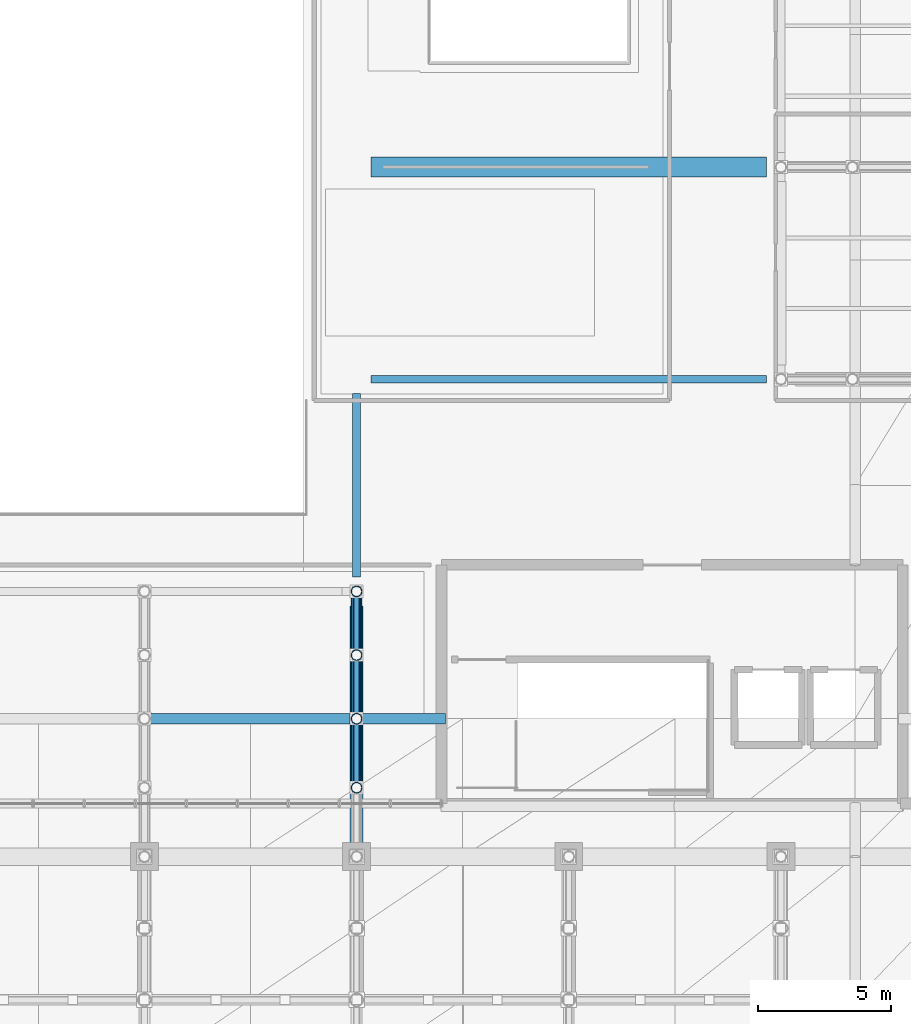
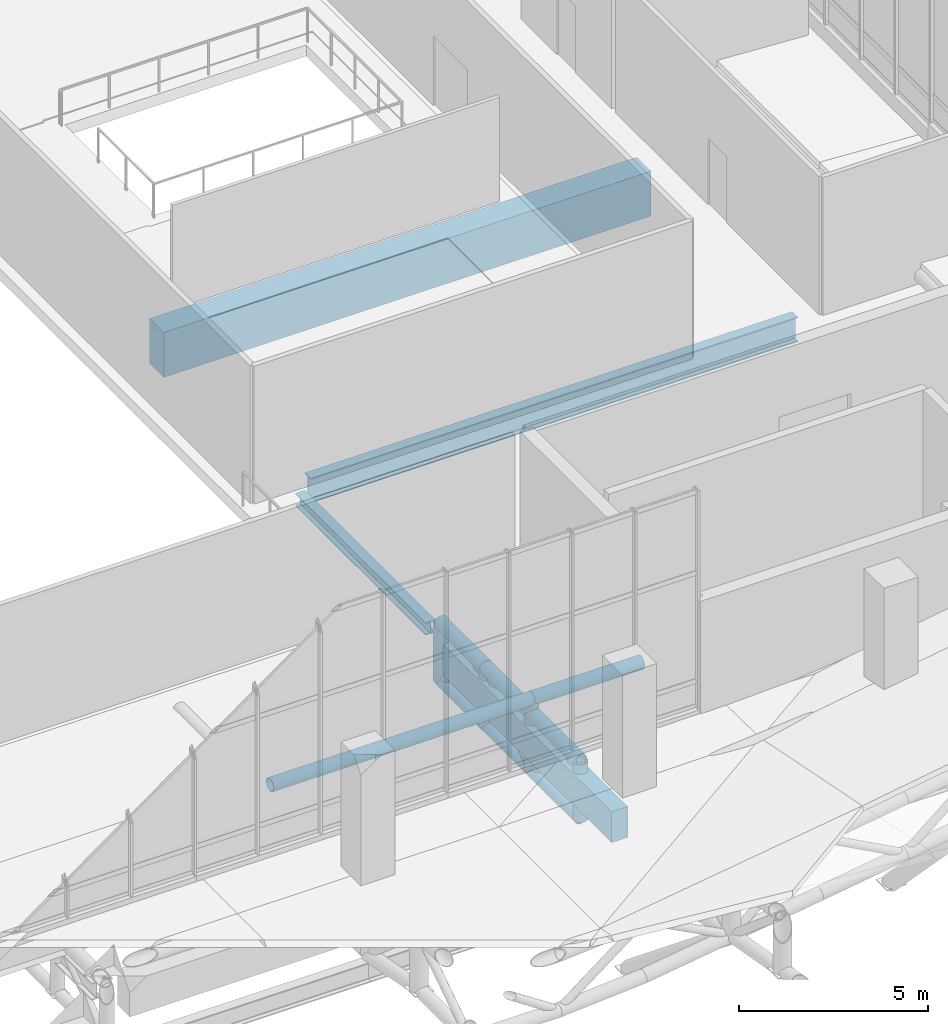
# One storey, part 33 of 137: 15 members, 4 beams.
"""IFC4 building model written with IfcOpenShell, lengths in metres."""

from ifc_helpers import new_model, si_unit, direction, frame, origin, origin_2d, place, context, subcontext, project, spatial, rectangle, hollow_circle, i_section, extrude, material, material_profile, profile_set, type_object, element, save


model = new_model("IFC4")

# Units and contexts
model_context = context("Model", 3, precision=1e-05, world=origin(), true_north=direction((0.0, 1.0)))
body_context = subcontext(model_context, "Body", "Model", "MODEL_VIEW")
ifc_project = project(units=[si_unit("LENGTHUNIT", "METRE"), si_unit("AREAUNIT", "SQUARE_METRE"), si_unit("VOLUMEUNIT", "CUBIC_METRE"), si_unit("PLANEANGLEUNIT", "RADIAN"), si_unit("MASSUNIT", "GRAM", prefix="KILO")], contexts=[model_context])

# Site, building, storey
site_placement = place(None, origin())
site = spatial("IfcSite", under=ifc_project, at=site_placement, CompositionType="ELEMENT")
building_placement = place(site_placement, origin())
building = spatial("IfcBuilding", under=site, at=building_placement, Name="Khorjan Park Terminus", CompositionType="ELEMENT")
storey_placement = place(building_placement, frame((0.0, 0.0, 11.4)))
storey = spatial("IfcBuildingStorey", under=building, at=storey_placement, Name="L02", CompositionType="ELEMENT", Elevation=11.4)

# Beams
ifc_material_1 = material(Name="Steel S355", Category="steel")
ifc_material_profile_1 = material_profile(ifc_material_1, i_section(OverallWidth=0.3, OverallDepth=0.4, WebThickness=0.0135, FlangeThickness=0.024, FilletRadius=0.027, at=origin_2d()), Name="HEB 400")
ifc_profile_set_1 = profile_set([ifc_material_profile_1], Name="Steel S355")
beam_type_1 = type_object("IfcBeamType", Name="BM-HEB400", PredefinedType="BEAM", material=ifc_profile_set_1)
beam_1_placement = place(storey_placement, frame((112.0, 36.545, -0.56), z_axis=(0.0, 1.0, 0.0), x_axis=(-1.0, 0.0, 0.0)))
element("IfcBeam", 1, at=beam_1_placement, inside=storey, type_object=beam_type_1, Name="Primary floor girder SB-B40 (L02)", PredefinedType="BEAM", context=body_context, shape_type="SweptSolid", body=[
    extrude(i_section(OverallWidth=0.3, OverallDepth=0.4, WebThickness=0.0135, FlangeThickness=0.024, FilletRadius=0.027, at=origin_2d()), origin(), (0.0, 0.0, 1.0), 6.91),
])
ifc_material_profile_2 = material_profile(ifc_material_1, i_section(OverallWidth=0.3, OverallDepth=0.8, WebThickness=0.0175, FlangeThickness=0.033, FilletRadius=0.03, at=origin_2d()), Name="HEB 800")
ifc_profile_set_2 = profile_set([ifc_material_profile_2], Name="Steel S355")
beam_type_2 = type_object("IfcBeamType", Name="BM-HEB800", PredefinedType="BEAM", material=ifc_profile_set_2)
beam_2_placement = place(storey_placement, frame((112.545, 44.0, -0.76), z_axis=(1.0, 0.0, 0.0), x_axis=(0.0, 1.0, 0.0)))
element("IfcBeam", 2, at=beam_2_placement, inside=storey, type_object=beam_type_2, Name="Primary floor girder SB-B80 (L02)", PredefinedType="BEAM", context=body_context, shape_type="SweptSolid", body=[
    extrude(i_section(OverallWidth=0.3, OverallDepth=0.8, WebThickness=0.0175, FlangeThickness=0.033, FilletRadius=0.03, at=origin_2d()), origin(), (0.0, 0.0, 1.0), 14.91),
])
ifc_material_2 = material(Name="Concrete C40/50", Category="concrete")
ifc_material_profile_3 = material_profile(ifc_material_2, rectangle(XDim=0.5, YDim=1.0, at=origin_2d()), Name="RC 500x1000")
ifc_profile_set_3 = profile_set([ifc_material_profile_3], Name="Concrete C40/50")
beam_type_3 = type_object("IfcBeamType", Name="BM-RC500x1000", PredefinedType="BEAM", material=ifc_profile_set_3)
beam_3_placement = place(storey_placement, frame((112.0, 26.52, -0.86), z_axis=(0.0, 1.0, 0.0), x_axis=(-1.0, 0.0, 0.0)))
element("IfcBeam", 3, at=beam_3_placement, inside=storey, type_object=beam_type_3, Name="Primary floor girder GB-10B (L02)", PredefinedType="BEAM", context=body_context, shape_type="SweptSolid", body=[
    extrude(rectangle(XDim=0.5, YDim=1.0, at=origin_2d()), origin(), (0.0, 0.0, 1.0), 8.935),
])
ifc_material_3 = material(Name="Concrete C50/60", Category="concrete")
ifc_material_profile_4 = material_profile(ifc_material_3, rectangle(XDim=0.75, YDim=1.45, at=origin_2d()), Name="RC 750x1450")
ifc_profile_set_4 = profile_set([ifc_material_profile_4], Name="Concrete C50/60")
beam_type_4 = type_object("IfcBeamType", Name="BM-RC750x1450", PredefinedType="BEAM", material=ifc_profile_set_4)
beam_4_placement = place(storey_placement, frame((112.545, 52.0, -1.085), z_axis=(1.0, 0.0, 0.0), x_axis=(0.0, 1.0, 0.0)))
element("IfcBeam", 4, at=beam_4_placement, inside=storey, type_object=beam_type_4, Name="Primary floor girder GB-14 (L02)", PredefinedType="BEAM", context=body_context, shape_type="SweptSolid", body=[
    extrude(rectangle(XDim=0.75, YDim=1.45, at=origin_2d()), origin(), (0.0, 0.0, 1.0), 14.91),
])

# Members
ifc_material_profile_5 = material_profile(ifc_material_1, hollow_circle(Radius=0.1222, WallThickness=0.0125, at=origin_2d()), Name="CHS 244.5x12.5")
ifc_profile_set_5 = profile_set([ifc_material_profile_5], Name="Steel S355")
member_type_1 = type_object("IfcMemberType", Name="MB-BR-245", PredefinedType="BRACE", material=ifc_profile_set_5)
member_1_placement = place(storey_placement, frame((112.0, 28.6, -0.05), z_axis=(0.0, 0.811830357573, -0.583893372562), x_axis=(-1.0, 0.0, 0.0)))
element("IfcMember", 5, at=member_1_placement, inside=storey, type_object=member_type_1, Name="Lower shell cantilever truss diagonal (9S)", PredefinedType="BRACE", context=body_context, shape_type="SweptSolid", body=[
    extrude(hollow_circle(Radius=0.1222, WallThickness=0.0125, at=origin_2d()), origin(), (0.0, 0.0, 1.0), 3.2026),
])
for number, where, z_axis, x_axis, name in (
    (6, (112.0, 31.2, -1.92), (0.0, 0.788820985003, 0.614623017482), (-1.0, 0.0, 0.0), "Lower shell cantilever truss diagonal (9S)"),
    (7, (112.0, 33.6, -0.05), (0.0, 0.788820985003, -0.614623017482), (-1.0, 0.0, 0.0), "Lower shell cantilever truss diagonal (9S)"),
):
    element("IfcMember", number, at=place(storey_placement, frame(where, z_axis=z_axis, x_axis=x_axis)), inside=storey, type_object=member_type_1, Name=name, PredefinedType="BRACE", context=body_context, shape_type="SweptSolid", body=[
        extrude(hollow_circle(Radius=0.1222, WallThickness=0.0125, at=origin_2d()), origin(), (0.0, 0.0, 1.0), 3.0425),
    ])
ifc_material_profile_6 = material_profile(ifc_material_1, hollow_circle(Radius=0.1778, WallThickness=0.016, at=origin_2d()), Name="CHS 355.6x16")
ifc_profile_set_6 = profile_set([ifc_material_profile_6], Name="Steel S355")
member_type_2 = type_object("IfcMemberType", Name="MB-CH-356", PredefinedType="CHORD", material=ifc_profile_set_6)
member_2_placement = place(storey_placement, frame((112.0, 28.6, -1.92), z_axis=(0.0, 1.0, 0.0), x_axis=(-1.0, 0.0, 0.0)))
element("IfcMember", 8, at=member_2_placement, inside=storey, type_object=member_type_2, Name="Lower shell cantilever truss bottom chord (9S)", PredefinedType="CHORD", context=body_context, shape_type="SweptSolid", body=[
    extrude(hollow_circle(Radius=0.1778, WallThickness=0.016, at=origin_2d()), origin(), (0.0, 0.0, 1.0), 2.6),
])
for number, where, z_axis, x_axis, name in (
    (9, (112.0, 31.2, -1.92), (0.0, 1.0, 0.0), (-1.0, 0.0, 0.0), "Lower shell cantilever truss bottom chord (9S)"),
    (10, (112.0, 33.6, -1.92), (0.0, 1.0, 0.0), (-1.0, 0.0, 0.0), "Lower shell cantilever truss bottom chord (9S)"),
):
    element("IfcMember", number, at=place(storey_placement, frame(where, z_axis=z_axis, x_axis=x_axis)), inside=storey, type_object=member_type_2, Name=name, PredefinedType="CHORD", context=body_context, shape_type="SweptSolid", body=[
        extrude(hollow_circle(Radius=0.1778, WallThickness=0.016, at=origin_2d()), origin(), (0.0, 0.0, 1.0), 2.4),
    ])
ifc_material_profile_7 = material_profile(ifc_material_1, hollow_circle(Radius=0.2032, WallThickness=0.016, at=origin_2d()), Name="CHS 406.4x16")
ifc_profile_set_7 = profile_set([ifc_material_profile_7], Name="Steel S355")
member_type_3 = type_object("IfcMemberType", Name="MB-CH-406", PredefinedType="CHORD", material=ifc_profile_set_7)
member_3_placement = place(storey_placement, frame((104.0, 31.2, 0.392), z_axis=(1.0, 0.0, 0.0), x_axis=(0.0, 1.0, 0.0)))
element("IfcMember", 11, at=member_3_placement, inside=storey, type_object=member_type_3, Name="Lower wrapping shell rim chord (82)", PredefinedType="CHORD", context=body_context, shape_type="SweptSolid", body=[
    extrude(hollow_circle(Radius=0.2032, WallThickness=0.016, at=origin_2d()), origin(), (0.0, 0.0, 1.0), 8.0),
])
member_4_placement = place(storey_placement, frame((112.0, 31.2, 0.392), z_axis=(1.0, 0.0, 0.0), x_axis=(0.0, 1.0, 0.0)))
element("IfcMember", 12, at=member_4_placement, inside=storey, type_object=member_type_3, Name="Lower wrapping shell rim chord (83)", PredefinedType="CHORD", context=body_context, shape_type="SweptSolid", body=[
    extrude(hollow_circle(Radius=0.2032, WallThickness=0.016, at=origin_2d()), origin(), (0.0, 0.0, 1.0), 3.35),
])
member_5_placement = place(storey_placement, frame((112.0, 28.6, -0.05), z_axis=(0.0, 1.0, 0.0), x_axis=(-1.0, 0.0, 0.0)))
element("IfcMember", 13, at=member_5_placement, inside=storey, type_object=member_type_3, Name="Lower shell cantilever truss top chord (9S)", PredefinedType="CHORD", context=body_context, shape_type="SweptSolid", body=[
    extrude(hollow_circle(Radius=0.2032, WallThickness=0.016, at=origin_2d()), origin(), (0.0, 0.0, 1.0), 2.6),
])
for number, where, z_axis, x_axis, name in (
    (14, (112.0, 31.2, -0.05), (0.0, 1.0, 0.0), (-1.0, 0.0, 0.0), "Lower shell cantilever truss top chord (9S)"),
    (15, (112.0, 33.6, -0.05), (0.0, 1.0, 0.0), (-1.0, 0.0, 0.0), "Lower shell cantilever truss top chord (9S)"),
):
    element("IfcMember", number, at=place(storey_placement, frame(where, z_axis=z_axis, x_axis=x_axis)), inside=storey, type_object=member_type_3, Name=name, PredefinedType="CHORD", context=body_context, shape_type="SweptSolid", body=[
        extrude(hollow_circle(Radius=0.2032, WallThickness=0.016, at=origin_2d()), origin(), (0.0, 0.0, 1.0), 2.4),
    ])
ifc_material_profile_8 = material_profile(ifc_material_1, hollow_circle(Radius=0.2032, WallThickness=0.016, at=origin_2d()), Name="CHS 406.4x16")
ifc_profile_set_8 = profile_set([ifc_material_profile_8], Name="Steel S355")
member_type_4 = type_object("IfcMemberType", Name="MB-ST-406", PredefinedType="STRUT", material=ifc_profile_set_8)
member_6_placement = place(storey_placement, frame((112.0, 28.6, -1.92), z_axis=(0.0, 0.0, 1.0), x_axis=(1.0, 0.0, 0.0)))
element("IfcMember", 16, at=member_6_placement, inside=storey, type_object=member_type_4, Name="Lower shell cantilever truss post (9S)", PredefinedType="STRUT", context=body_context, shape_type="SweptSolid", body=[
    extrude(hollow_circle(Radius=0.2032, WallThickness=0.016, at=origin_2d()), origin(), (0.0, 0.0, 1.0), 1.87),
])
member_7_placement = place(storey_placement, frame((112.0, 31.2, -1.92), z_axis=(0.0, 0.0, 1.0), x_axis=(1.0, 0.0, 0.0)))
element("IfcMember", 17, at=member_7_placement, inside=storey, type_object=member_type_4, Name="Lower shell cantilever truss post (9S)", PredefinedType="STRUT", context=body_context, shape_type="SweptSolid", body=[
    extrude(hollow_circle(Radius=0.2032, WallThickness=0.016, at=origin_2d()), origin(), (0.0, 0.0, 1.0), 2.312),
])
for number, where, z_axis, x_axis, name in (
    (18, (112.0, 33.6, -1.92), (0.0, 0.0, 1.0), (1.0, 0.0, 0.0), "Lower shell cantilever truss post (9S)"),
    (19, (112.0, 36.0, -1.92), (0.0, 0.0, 1.0), (1.0, 0.0, 0.0), "Lower shell cantilever truss post (9S)"),
):
    element("IfcMember", number, at=place(storey_placement, frame(where, z_axis=z_axis, x_axis=x_axis)), inside=storey, type_object=member_type_4, Name=name, PredefinedType="STRUT", context=body_context, shape_type="SweptSolid", body=[
        extrude(hollow_circle(Radius=0.2032, WallThickness=0.016, at=origin_2d()), origin(), (0.0, 0.0, 1.0), 1.87),
    ])

save(model, "model.ifc")
